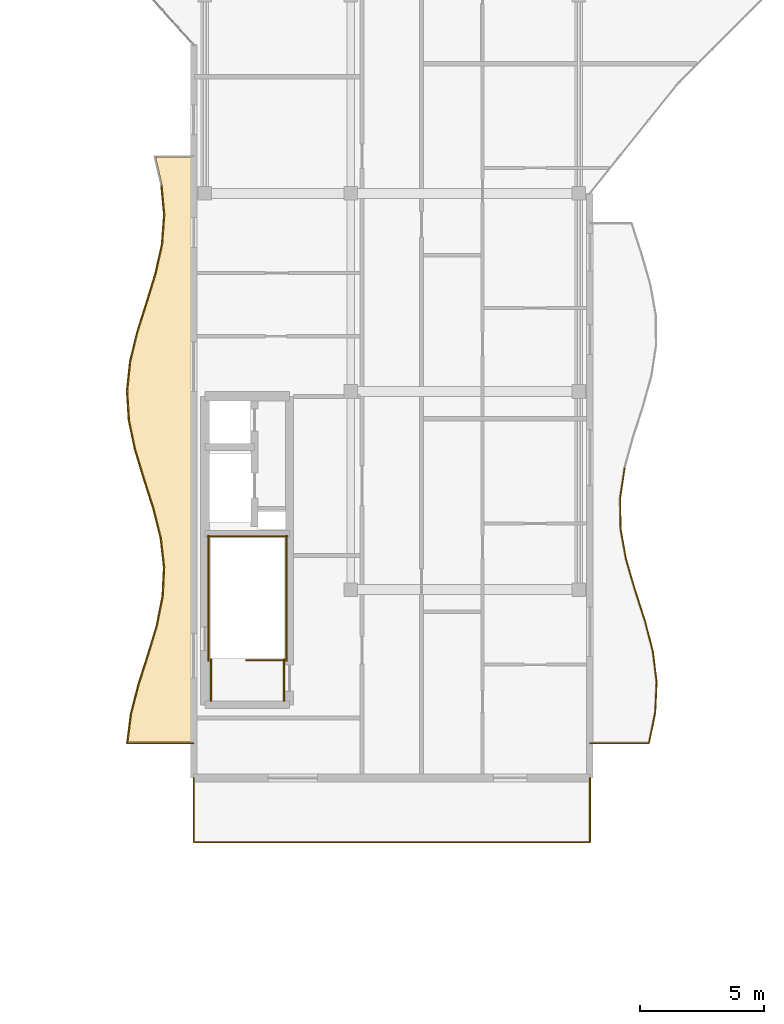
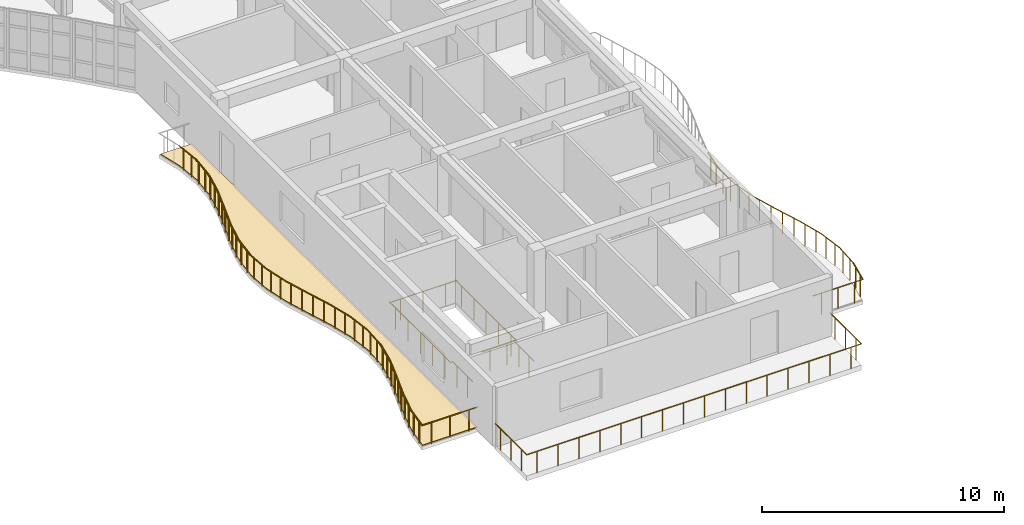
# One storey, part 37 of 49: 39 railings, 1 covering.
"""IFC4 building model written with IfcOpenShell, lengths in metres."""

from ifc_helpers import new_model, si_unit, direction, frame, origin, origin_2d, place, context, subcontext, project, spatial, polyline, circle, outline, extrude, material, layer, layer_set, type_object, element, save


model = new_model("IFC4")

# Units and contexts
model_context = context("Model", 3, precision=1e-05, world=origin(), true_north=direction((0.0, 1.0)))
body_context = subcontext(model_context, "Body", "Model", "MODEL_VIEW")
ifc_project = project(units=[si_unit("LENGTHUNIT", "METRE"), si_unit("AREAUNIT", "SQUARE_METRE"), si_unit("VOLUMEUNIT", "CUBIC_METRE"), si_unit("PLANEANGLEUNIT", "RADIAN"), si_unit("MASSUNIT", "GRAM", prefix="KILO")], contexts=[model_context])

# Site, building, storey
site_placement = place(None, origin())
site = spatial("IfcSite", under=ifc_project, at=site_placement, CompositionType="ELEMENT")
building_placement = place(site_placement, origin())
building = spatial("IfcBuilding", under=site, at=building_placement, Name="Keldmere Railside Commons", CompositionType="ELEMENT")
storey_placement = place(building_placement, frame((0.0, 0.0, 29.760009765625)))
storey = spatial("IfcBuildingStorey", under=building, at=storey_placement, Name="L09", CompositionType="ELEMENT", Elevation=29.760009765625)

# Railings
ifc_material_1 = material(Name="Steel F-24 (S235)", Category="steel")
railing_type_1 = type_object("IfcRailingType", Name="Balcony & Terrace Steel Balustrade 1100", PredefinedType="BALUSTRADE", material=ifc_material_1)
railing_1_placement = place(storey_placement, frame((64.0, 65.800048828125, 0.0)))
element("IfcRailing", 1, at=railing_1_placement, inside=storey, type_object=railing_type_1, Name="GR-1 GRD-L09-1778", PredefinedType="BALUSTRADE", context=body_context, shape_type="SweptSolid", body=[
    extrude(circle(Radius=0.02392578125, at=origin_2d()), frame((0.0, 0.0, 1.076171875), z_axis=(1.0, 0.0, 0.0), x_axis=(0.0, 1.0, 0.0)), (0.0, 0.0, 1.0), 2.3837890625),
    extrude(circle(Radius=0.02099609375, at=origin_2d()), frame((0.397216796875, 0.0, 0.0)), (0.0, 0.0, 1.0), 1.048095703125),
    extrude(circle(Radius=0.02099609375, at=origin_2d()), frame((1.19189453125, 0.0, 0.0)), (0.0, 0.0, 1.0), 1.048095703125),
    extrude(circle(Radius=0.02099609375, at=origin_2d()), frame((1.986572265625, 0.0, 0.0)), (0.0, 0.0, 1.0), 1.048095703125),
])
railing_2_placement = place(storey_placement, frame((66.3837890625, 65.800048828125, 0.0)))
element("IfcRailing", 2, at=railing_2_placement, inside=storey, type_object=railing_type_1, Name="GR-1 GRD-L09-1779", PredefinedType="BALUSTRADE", context=body_context, shape_type="SweptSolid", body=[
    extrude(circle(Radius=0.02392578125, at=origin_2d()), frame((0.0, 0.0, 1.076171875), z_axis=(0.200210381283, 0.979752929685, 0.0), x_axis=(-0.979752929685, 0.200210381283, 0.0)), (0.0, 0.0, 1.0), 1.260986328125),
    extrude(circle(Radius=0.02099609375, at=origin_2d()), frame((0.06298828125, 0.308837890625, 0.0)), (0.0, 0.0, 1.0), 1.048095703125),
    extrude(circle(Radius=0.02099609375, at=origin_2d()), frame((0.189453125, 0.926513671875, 0.0)), (0.0, 0.0, 1.0), 1.048095703125),
])
railing_3_placement = place(storey_placement, frame((66.63623046875, 67.035400390625, 0.0)))
element("IfcRailing", 3, at=railing_3_placement, inside=storey, type_object=railing_type_1, Name="GR-1 GRD-L09-1780", PredefinedType="BALUSTRADE", context=body_context, shape_type="SweptSolid", body=[
    extrude(circle(Radius=0.02392578125, at=origin_2d()), frame((0.0, 0.0, 1.076171875), z_axis=(0.046795880614, 0.998904472689, 0.0), x_axis=(-0.998904472689, 0.046795880614, 0.0)), (0.0, 0.0, 1.0), 1.236572265625),
    extrude(circle(Radius=0.02099609375, at=origin_2d()), frame((0.014404296875, 0.308837890625, 0.0)), (0.0, 0.0, 1.0), 1.048095703125),
    extrude(circle(Radius=0.02099609375, at=origin_2d()), frame((0.04345703125, 0.92626953125, 0.0)), (0.0, 0.0, 1.0), 1.048095703125),
])
railing_4_placement = place(storey_placement, frame((66.694091796875, 68.2705078125, 0.0)))
element("IfcRailing", 4, at=railing_4_placement, inside=storey, type_object=railing_type_1, Name="GR-1 GRD-L09-1781", PredefinedType="BALUSTRADE", context=body_context, shape_type="SweptSolid", body=[
    extrude(circle(Radius=0.02392578125, at=origin_2d()), frame((0.0, 0.0, 1.076171875), z_axis=(-0.122972552421, 0.992410072173, 0.0), x_axis=(-0.992410072173, -0.122972552421, 0.0)), (0.0, 0.0, 1.0), 1.244873046875),
    extrude(circle(Radius=0.02099609375, at=origin_2d()), frame((-0.038330078125, 0.308837890625, 0.0)), (0.0, 0.0, 1.0), 1.048095703125),
    extrude(circle(Radius=0.02099609375, at=origin_2d()), frame((-0.11474609375, 0.926513671875, 0.0)), (0.0, 0.0, 1.0), 1.048095703125),
])
railing_5_placement = place(storey_placement, frame((66.541015625, 69.505859375, 0.0)))
element("IfcRailing", 5, at=railing_5_placement, inside=storey, type_object=railing_type_1, Name="GR-1 GRD-L09-1782", PredefinedType="BALUSTRADE", context=body_context, shape_type="SweptSolid", body=[
    extrude(circle(Radius=0.02392578125, at=origin_2d()), frame((0.0, 0.0, 1.076171875), z_axis=(-0.251167953108, 0.967943520734, 0.0), x_axis=(-0.967943520734, -0.251167953108, 0.0)), (0.0, 0.0, 1.0), 1.2763671875),
    extrude(circle(Radius=0.02099609375, at=origin_2d()), frame((-0.080078125, 0.308837890625, 0.0)), (0.0, 0.0, 1.0), 1.048095703125),
    extrude(circle(Radius=0.02099609375, at=origin_2d()), frame((-0.240478515625, 0.926513671875, 0.0)), (0.0, 0.0, 1.0), 1.048095703125),
])
railing_6_placement = place(storey_placement, frame((66.220458984375, 70.7412109375, 0.0)))
element("IfcRailing", 6, at=railing_6_placement, inside=storey, type_object=railing_type_1, Name="GR-1 GRD-L09-1783", PredefinedType="BALUSTRADE", context=body_context, shape_type="SweptSolid", body=[
    extrude(circle(Radius=0.02392578125, at=origin_2d()), frame((0.0, 0.0, 1.076171875), z_axis=(-0.306277118905, 0.951942396595, 0.0), x_axis=(-0.951942396595, -0.306277118905, 0.0)), (0.0, 0.0, 1.0), 1.297607421875),
    extrude(circle(Radius=0.02099609375, at=origin_2d()), frame((-0.099365234375, 0.308837890625, 0.0)), (0.0, 0.0, 1.0), 1.048095703125),
    extrude(circle(Radius=0.02099609375, at=origin_2d()), frame((-0.298095703125, 0.926513671875, 0.0)), (0.0, 0.0, 1.0), 1.048095703125),
])
railing_7_placement = place(storey_placement, frame((65.822998046875, 71.9765625, 0.0)))
element("IfcRailing", 7, at=railing_7_placement, inside=storey, type_object=railing_type_1, Name="GR-1 GRD-L09-1784", PredefinedType="BALUSTRADE", context=body_context, shape_type="SweptSolid", body=[
    extrude(circle(Radius=0.02392578125, at=origin_2d()), frame((0.0, 0.0, 1.076171875), z_axis=(-0.280728295525, 0.959787280647, 0.0), x_axis=(-0.959787280647, -0.280728295525, 0.0)), (0.0, 0.0, 1.0), 1.287109375),
    extrude(circle(Radius=0.02099609375, at=origin_2d()), frame((-0.09033203125, 0.308837890625, 0.0)), (0.0, 0.0, 1.0), 1.048095703125),
    extrude(circle(Radius=0.02099609375, at=origin_2d()), frame((-0.27099609375, 0.926513671875, 0.0)), (0.0, 0.0, 1.0), 1.048095703125),
])
railing_8_placement = place(storey_placement, frame((65.461669921875, 73.2119140625, 0.0)))
element("IfcRailing", 8, at=railing_8_placement, inside=storey, type_object=railing_type_1, Name="GR-1 GRD-L09-1785", PredefinedType="BALUSTRADE", context=body_context, shape_type="SweptSolid", body=[
    extrude(circle(Radius=0.02392578125, at=origin_2d()), frame((0.0, 0.0, 1.076171875), z_axis=(-0.177601420209, 0.984102502557, 0.0), x_axis=(-0.984102502557, -0.177601420209, 0.0)), (0.0, 0.0, 1.0), 1.255126953125),
    extrude(circle(Radius=0.02099609375, at=origin_2d()), frame((-0.0556640625, 0.308837890625, 0.0)), (0.0, 0.0, 1.0), 1.048095703125),
    extrude(circle(Radius=0.02099609375, at=origin_2d()), frame((-0.167236328125, 0.92626953125, 0.0)), (0.0, 0.0, 1.0), 1.048095703125),
])
railing_9_placement = place(storey_placement, frame((65.23876953125, 74.447021484375, 0.0)))
element("IfcRailing", 9, at=railing_9_placement, inside=storey, type_object=railing_type_1, Name="GR-1 GRD-L09-1786", PredefinedType="BALUSTRADE", context=body_context, shape_type="SweptSolid", body=[
    extrude(circle(Radius=0.02392578125, at=origin_2d()), frame((0.0, 0.0, 1.076171875), z_axis=(-0.017191135034, 0.999852221519, 0.0), x_axis=(-0.999852221519, -0.017191135034, 0.0)), (0.0, 0.0, 1.0), 1.235595703125),
    extrude(circle(Radius=0.02099609375, at=origin_2d()), frame((-0.00537109375, 0.308837890625, 0.0)), (0.0, 0.0, 1.0), 1.048095703125),
    extrude(circle(Radius=0.02099609375, at=origin_2d()), frame((-0.015869140625, 0.926513671875, 0.0)), (0.0, 0.0, 1.0), 1.048095703125),
])
railing_10_placement = place(storey_placement, frame((65.217529296875, 75.682373046875, 0.0)))
element("IfcRailing", 10, at=railing_10_placement, inside=storey, type_object=railing_type_1, Name="GR-1 GRD-L09-1787", PredefinedType="BALUSTRADE", context=body_context, shape_type="SweptSolid", body=[
    extrude(circle(Radius=0.02392578125, at=origin_2d()), frame((0.0, 0.0, 1.076171875), z_axis=(0.149324804148, 0.988788199194, 0.0), x_axis=(-0.988788199194, 0.149324804148, 0.0)), (0.0, 0.0, 1.0), 1.2490234375),
    extrude(circle(Radius=0.02099609375, at=origin_2d()), frame((0.046630859375, 0.308837890625, 0.0)), (0.0, 0.0, 1.0), 1.048095703125),
    extrude(circle(Radius=0.02099609375, at=origin_2d()), frame((0.139892578125, 0.92626953125, 0.0)), (0.0, 0.0, 1.0), 1.048095703125),
])
railing_11_placement = place(storey_placement, frame((48.0, 65.800048828125, 0.0)))
element("IfcRailing", 11, at=railing_11_placement, inside=storey, type_object=railing_type_1, Name="GR-1 GRD-L09-1797", PredefinedType="BALUSTRADE", context=body_context, shape_type="SweptSolid", body=[
    extrude(circle(Radius=0.02392578125, at=origin_2d()), frame((0.0, 0.0, 1.076171875), z_axis=(-1.0, 0.0, 0.0), x_axis=(0.0, -1.0, 0.0)), (0.0, 0.0, 1.0), 2.69189453125),
    extrude(circle(Radius=0.02099609375, at=origin_2d()), frame((-0.44873046875, 0.0, 0.0)), (0.0, 0.0, 1.0), 1.048095703125),
    extrude(circle(Radius=0.02099609375, at=origin_2d()), frame((-1.345947265625, 0.0, 0.0)), (0.0, 0.0, 1.0), 1.048095703125),
    extrude(circle(Radius=0.02099609375, at=origin_2d()), frame((-2.2431640625, 0.0, 0.0)), (0.0, 0.0, 1.0), 1.048095703125),
])
railing_12_placement = place(storey_placement, frame((45.30810546875, 65.800048828125, 0.0)))
element("IfcRailing", 12, at=railing_12_placement, inside=storey, type_object=railing_type_1, Name="GR-1 GRD-L09-1798", PredefinedType="BALUSTRADE", context=body_context, shape_type="SweptSolid", body=[
    extrude(circle(Radius=0.02392578125, at=origin_2d()), frame((0.0, 0.0, 1.076171875), z_axis=(0.126298157731, 0.991992326257, 0.0), x_axis=(-0.991992326257, 0.126298157731, 0.0)), (0.0, 0.0, 1.0), 1.194580078125),
    extrude(circle(Radius=0.02099609375, at=origin_2d()), frame((0.03759765625, 0.29638671875, 0.0)), (0.0, 0.0, 1.0), 1.048095703125),
    extrude(circle(Radius=0.02099609375, at=origin_2d()), frame((0.11328125, 0.888671875, 0.0)), (0.0, 0.0, 1.0), 1.048095703125),
])
railing_13_placement = place(storey_placement, frame((45.458984375, 66.985107421875, 0.0)))
element("IfcRailing", 13, at=railing_13_placement, inside=storey, type_object=railing_type_1, Name="GR-1 GRD-L09-1799", PredefinedType="BALUSTRADE", context=body_context, shape_type="SweptSolid", body=[
    extrude(circle(Radius=0.02392578125, at=origin_2d()), frame((0.0, 0.0, 1.076171875), z_axis=(0.249618516973, 0.968344254893, 0.0), x_axis=(-0.968344254893, 0.249618516973, 0.0)), (0.0, 0.0, 1.0), 1.2236328125),
    extrude(circle(Radius=0.02099609375, at=origin_2d()), frame((0.076416015625, 0.296142578125, 0.0)), (0.0, 0.0, 1.0), 1.048095703125),
    extrude(circle(Radius=0.02099609375, at=origin_2d()), frame((0.22900390625, 0.888671875, 0.0)), (0.0, 0.0, 1.0), 1.048095703125),
])
railing_14_placement = place(storey_placement, frame((45.764404296875, 68.169921875, 0.0)))
element("IfcRailing", 14, at=railing_14_placement, inside=storey, type_object=railing_type_1, Name="GR-1 GRD-L09-1800", PredefinedType="BALUSTRADE", context=body_context, shape_type="SweptSolid", body=[
    extrude(circle(Radius=0.02392578125, at=origin_2d()), frame((0.0, 0.0, 1.076171875), z_axis=(0.305437622491, 0.952212087073, 0.0), x_axis=(-0.952212087073, 0.305437622491, 0.0)), (0.0, 0.0, 1.0), 1.24462890625),
    extrude(circle(Radius=0.02099609375, at=origin_2d()), frame((0.094970703125, 0.29638671875, 0.0)), (0.0, 0.0, 1.0), 1.048095703125),
    extrude(circle(Radius=0.02099609375, at=origin_2d()), frame((0.28515625, 0.888671875, 0.0)), (0.0, 0.0, 1.0), 1.048095703125),
])
railing_15_placement = place(storey_placement, frame((46.14453125, 69.35498046875, 0.0)))
element("IfcRailing", 15, at=railing_15_placement, inside=storey, type_object=railing_type_1, Name="GR-1 GRD-L09-1801", PredefinedType="BALUSTRADE", context=body_context, shape_type="SweptSolid", body=[
    extrude(circle(Radius=0.02392578125, at=origin_2d()), frame((0.0, 0.0, 1.076171875), z_axis=(0.287311678123, 0.957837146708, 0.0), x_axis=(-0.957837146708, 0.287311678123, 0.0)), (0.0, 0.0, 1.0), 1.2373046875),
    extrude(circle(Radius=0.02099609375, at=origin_2d()), frame((0.0888671875, 0.29638671875, 0.0)), (0.0, 0.0, 1.0), 1.048095703125),
    extrude(circle(Radius=0.02099609375, at=origin_2d()), frame((0.2666015625, 0.888671875, 0.0)), (0.0, 0.0, 1.0), 1.048095703125),
])
railing_16_placement = place(storey_placement, frame((46.5, 70.5400390625, 0.0)))
element("IfcRailing", 16, at=railing_16_placement, inside=storey, type_object=railing_type_1, Name="GR-1 GRD-L09-1802", PredefinedType="BALUSTRADE", context=body_context, shape_type="SweptSolid", body=[
    extrude(circle(Radius=0.02392578125, at=origin_2d()), frame((0.0, 0.0, 1.076171875), z_axis=(0.196737601358, 0.980456177609, 0.0), x_axis=(-0.980456177609, 0.196737601358, 0.0)), (0.0, 0.0, 1.0), 1.208740234375),
    extrude(circle(Radius=0.02099609375, at=origin_2d()), frame((0.0595703125, 0.29638671875, 0.0)), (0.0, 0.0, 1.0), 1.048095703125),
    extrude(circle(Radius=0.02099609375, at=origin_2d()), frame((0.17822265625, 0.888671875, 0.0)), (0.0, 0.0, 1.0), 1.048095703125),
])
railing_17_placement = place(storey_placement, frame((46.73779296875, 71.72509765625, 0.0)))
element("IfcRailing", 17, at=railing_17_placement, inside=storey, type_object=railing_type_1, Name="GR-1 GRD-L09-1803", PredefinedType="BALUSTRADE", context=body_context, shape_type="SweptSolid", body=[
    extrude(circle(Radius=0.02392578125, at=origin_2d()), frame((0.0, 0.0, 1.076171875), z_axis=(0.048777640634, 0.998809662435, 0.0), x_axis=(-0.998809662435, 0.048777640634, 0.0)), (0.0, 0.0, 1.0), 1.186279296875),
    extrude(circle(Radius=0.02099609375, at=origin_2d()), frame((0.014404296875, 0.296142578125, 0.0)), (0.0, 0.0, 1.0), 1.048095703125),
    extrude(circle(Radius=0.02099609375, at=origin_2d()), frame((0.04345703125, 0.888671875, 0.0)), (0.0, 0.0, 1.0), 1.048095703125),
])
railing_18_placement = place(storey_placement, frame((46.795654296875, 72.909912109375, 0.0)))
element("IfcRailing", 18, at=railing_18_placement, inside=storey, type_object=railing_type_1, Name="GR-1 GRD-L09-1804", PredefinedType="BALUSTRADE", context=body_context, shape_type="SweptSolid", body=[
    extrude(circle(Radius=0.02392578125, at=origin_2d()), frame((0.0, 0.0, 1.076171875), z_axis=(-0.114810534721, 0.993387407368, 0.0), x_axis=(-0.993387407368, -0.114810534721, 0.0)), (0.0, 0.0, 1.0), 1.19287109375),
    extrude(circle(Radius=0.02099609375, at=origin_2d()), frame((-0.0341796875, 0.29638671875, 0.0)), (0.0, 0.0, 1.0), 1.048095703125),
    extrude(circle(Radius=0.02099609375, at=origin_2d()), frame((-0.102783203125, 0.888671875, 0.0)), (0.0, 0.0, 1.0), 1.048095703125),
])
railing_19_placement = place(storey_placement, frame((46.65869140625, 74.094970703125, 0.0)))
element("IfcRailing", 19, at=railing_19_placement, inside=storey, type_object=railing_type_1, Name="GR-1 GRD-L09-1805", PredefinedType="BALUSTRADE", context=body_context, shape_type="SweptSolid", body=[
    extrude(circle(Radius=0.02392578125, at=origin_2d()), frame((0.0, 0.0, 1.076171875), z_axis=(-0.242441567714, 0.970166009632, 0.0), x_axis=(-0.970166009632, -0.242441567714, 0.0)), (0.0, 0.0, 1.0), 1.221435546875),
    extrude(circle(Radius=0.02099609375, at=origin_2d()), frame((-0.073974609375, 0.29638671875, 0.0)), (0.0, 0.0, 1.0), 1.048095703125),
    extrude(circle(Radius=0.02099609375, at=origin_2d()), frame((-0.22216796875, 0.888671875, 0.0)), (0.0, 0.0, 1.0), 1.048095703125),
])
railing_20_placement = place(storey_placement, frame((46.362548828125, 75.280029296875, 0.0)))
element("IfcRailing", 20, at=railing_20_placement, inside=storey, type_object=railing_type_1, Name="GR-1 GRD-L09-1806", PredefinedType="BALUSTRADE", context=body_context, shape_type="SweptSolid", body=[
    extrude(circle(Radius=0.02392578125, at=origin_2d()), frame((0.0, 0.0, 1.076171875), z_axis=(-0.30383550412, 0.952724507104, 0.0), x_axis=(-0.952724507104, -0.30383550412, 0.0)), (0.0, 0.0, 1.0), 1.243896484375),
    extrude(circle(Radius=0.02099609375, at=origin_2d()), frame((-0.094482421875, 0.29638671875, 0.0)), (0.0, 0.0, 1.0), 1.048095703125),
    extrude(circle(Radius=0.02099609375, at=origin_2d()), frame((-0.283447265625, 0.888671875, 0.0)), (0.0, 0.0, 1.0), 1.048095703125),
])
railing_21_placement = place(storey_placement, frame((45.984619140625, 76.465087890625, 0.0)))
element("IfcRailing", 21, at=railing_21_placement, inside=storey, type_object=railing_type_1, Name="GR-1 GRD-L09-1807", PredefinedType="BALUSTRADE", context=body_context, shape_type="SweptSolid", body=[
    extrude(circle(Radius=0.02392578125, at=origin_2d()), frame((0.0, 0.0, 1.076171875), z_axis=(-0.29134201891, 0.956618956543, 0.0), x_axis=(-0.956618956543, -0.29134201891, 0.0)), (0.0, 0.0, 1.0), 1.238525390625),
    extrude(circle(Radius=0.02099609375, at=origin_2d()), frame((-0.09033203125, 0.296142578125, 0.0)), (0.0, 0.0, 1.0), 1.048095703125),
    extrude(circle(Radius=0.02099609375, at=origin_2d()), frame((-0.2705078125, 0.888671875, 0.0)), (0.0, 0.0, 1.0), 1.048095703125),
])
railing_22_placement = place(storey_placement, frame((45.623779296875, 77.64990234375, 0.0)))
element("IfcRailing", 22, at=railing_22_placement, inside=storey, type_object=railing_type_1, Name="GR-1 GRD-L09-1808", PredefinedType="BALUSTRADE", context=body_context, shape_type="SweptSolid", body=[
    extrude(circle(Radius=0.02392578125, at=origin_2d()), frame((0.0, 0.0, 1.076171875), z_axis=(-0.20583775075, 0.97858613334, 0.0), x_axis=(-0.97858613334, -0.20583775075, 0.0)), (0.0, 0.0, 1.0), 1.2109375),
    extrude(circle(Radius=0.02099609375, at=origin_2d()), frame((-0.062255859375, 0.29638671875, 0.0)), (0.0, 0.0, 1.0), 1.048095703125),
    extrude(circle(Radius=0.02099609375, at=origin_2d()), frame((-0.18701171875, 0.888671875, 0.0)), (0.0, 0.0, 1.0), 1.048095703125),
])
railing_23_placement = place(storey_placement, frame((45.37451171875, 78.8349609375, 0.0)))
element("IfcRailing", 23, at=railing_23_placement, inside=storey, type_object=railing_type_1, Name="GR-1 GRD-L09-1809", PredefinedType="BALUSTRADE", context=body_context, shape_type="SweptSolid", body=[
    extrude(circle(Radius=0.02392578125, at=origin_2d()), frame((0.0, 0.0, 1.076171875), z_axis=(-0.061277295566, 0.998120780792, 0.0), x_axis=(-0.998120780792, -0.061277295566, 0.0)), (0.0, 0.0, 1.0), 1.187255859375),
    extrude(circle(Radius=0.02099609375, at=origin_2d()), frame((-0.01806640625, 0.29638671875, 0.0)), (0.0, 0.0, 1.0), 1.048095703125),
    extrude(circle(Radius=0.02099609375, at=origin_2d()), frame((-0.0546875, 0.888671875, 0.0)), (0.0, 0.0, 1.0), 1.048095703125),
])
railing_24_placement = place(storey_placement, frame((45.3017578125, 80.02001953125, 0.0)))
element("IfcRailing", 24, at=railing_24_placement, inside=storey, type_object=railing_type_1, Name="GR-1 GRD-L09-1810", PredefinedType="BALUSTRADE", context=body_context, shape_type="SweptSolid", body=[
    extrude(circle(Radius=0.02392578125, at=origin_2d()), frame((0.0, 0.0, 1.076171875), z_axis=(0.1030739328, 0.994673697439, 0.0), x_axis=(-0.994673697439, 0.1030739328, 0.0)), (0.0, 0.0, 1.0), 1.19140625),
    extrude(circle(Radius=0.02099609375, at=origin_2d()), frame((0.03076171875, 0.29638671875, 0.0)), (0.0, 0.0, 1.0), 1.048095703125),
    extrude(circle(Radius=0.02099609375, at=origin_2d()), frame((0.092041015625, 0.888671875, 0.0)), (0.0, 0.0, 1.0), 1.048095703125),
])
railing_25_placement = place(storey_placement, frame((45.424560546875, 81.205078125, 0.0)))
element("IfcRailing", 25, at=railing_25_placement, inside=storey, type_object=railing_type_1, Name="GR-1 GRD-L09-1811", PredefinedType="BALUSTRADE", context=body_context, shape_type="SweptSolid", body=[
    extrude(circle(Radius=0.02392578125, at=origin_2d()), frame((0.0, 0.0, 1.076171875), z_axis=(0.234940732588, 0.97200969757, 0.0), x_axis=(-0.97200969757, 0.234940732588, 0.0)), (0.0, 0.0, 1.0), 1.218994140625),
    extrude(circle(Radius=0.02099609375, at=origin_2d()), frame((0.071533203125, 0.296142578125, 0.0)), (0.0, 0.0, 1.0), 1.048095703125),
    extrude(circle(Radius=0.02099609375, at=origin_2d()), frame((0.21484375, 0.888671875, 0.0)), (0.0, 0.0, 1.0), 1.048095703125),
])
railing_26_placement = place(storey_placement, frame((45.7109375, 82.389892578125, 0.0)))
element("IfcRailing", 26, at=railing_26_placement, inside=storey, type_object=railing_type_1, Name="GR-1 GRD-L09-1812", PredefinedType="BALUSTRADE", context=body_context, shape_type="SweptSolid", body=[
    extrude(circle(Radius=0.02392578125, at=origin_2d()), frame((0.0, 0.0, 1.076171875), z_axis=(0.301695331646, 0.953404387898, 0.0), x_axis=(-0.953404387898, 0.301695331646, 0.0)), (0.0, 0.0, 1.0), 1.242919921875),
    extrude(circle(Radius=0.02099609375, at=origin_2d()), frame((0.09375, 0.29638671875, 0.0)), (0.0, 0.0, 1.0), 1.048095703125),
    extrude(circle(Radius=0.02099609375, at=origin_2d()), frame((0.28125, 0.888671875, 0.0)), (0.0, 0.0, 1.0), 1.048095703125),
])
railing_27_placement = place(storey_placement, frame((46.0859375, 83.574951171875, 0.0)))
element("IfcRailing", 27, at=railing_27_placement, inside=storey, type_object=railing_type_1, Name="GR-1 GRD-L09-1813", PredefinedType="BALUSTRADE", context=body_context, shape_type="SweptSolid", body=[
    extrude(circle(Radius=0.02392578125, at=origin_2d()), frame((0.0, 0.0, 1.076171875), z_axis=(0.294708308477, 0.955587260754, 0.0), x_axis=(-0.955587260754, 0.294708308477, 0.0)), (0.0, 0.0, 1.0), 1.240234375),
    extrude(circle(Radius=0.02099609375, at=origin_2d()), frame((0.09130859375, 0.29638671875, 0.0)), (0.0, 0.0, 1.0), 1.048095703125),
    extrude(circle(Radius=0.02099609375, at=origin_2d()), frame((0.274169921875, 0.888671875, 0.0)), (0.0, 0.0, 1.0), 1.048095703125),
])
railing_28_placement = place(storey_placement, frame((46.451416015625, 84.760009765625, 0.0)))
element("IfcRailing", 28, at=railing_28_placement, inside=storey, type_object=railing_type_1, Name="GR-1 GRD-L09-1814", PredefinedType="BALUSTRADE", context=body_context, shape_type="SweptSolid", body=[
    extrude(circle(Radius=0.02392578125, at=origin_2d()), frame((0.0, 0.0, 1.076171875), z_axis=(0.214884812338, 0.976639399895, 0.0), x_axis=(-0.976639399895, 0.214884812338, 0.0)), (0.0, 0.0, 1.0), 1.21337890625),
    extrude(circle(Radius=0.02099609375, at=origin_2d()), frame((0.065185546875, 0.29638671875, 0.0)), (0.0, 0.0, 1.0), 1.048095703125),
    extrude(circle(Radius=0.02099609375, at=origin_2d()), frame((0.195556640625, 0.888671875, 0.0)), (0.0, 0.0, 1.0), 1.048095703125),
])
railing_29_placement = place(storey_placement, frame((46.712158203125, 85.945068359375, 0.0)))
element("IfcRailing", 29, at=railing_29_placement, inside=storey, type_object=railing_type_1, Name="GR-1 GRD-L09-1815", PredefinedType="BALUSTRADE", context=body_context, shape_type="SweptSolid", body=[
    extrude(circle(Radius=0.02392578125, at=origin_2d()), frame((0.0, 0.0, 1.076171875), z_axis=(0.073773282278, 0.997275038704, 0.0), x_axis=(-0.997275038704, 0.073773282278, 0.0)), (0.0, 0.0, 1.0), 1.18798828125),
    extrude(circle(Radius=0.02099609375, at=origin_2d()), frame((0.02197265625, 0.296142578125, 0.0)), (0.0, 0.0, 1.0), 1.048095703125),
    extrude(circle(Radius=0.02099609375, at=origin_2d()), frame((0.065673828125, 0.888671875, 0.0)), (0.0, 0.0, 1.0), 1.048095703125),
])
railing_30_placement = place(storey_placement, frame((46.7998046875, 87.1298828125, 0.0)))
element("IfcRailing", 30, at=railing_30_placement, inside=storey, type_object=railing_type_1, Name="GR-1 GRD-L09-1816", PredefinedType="BALUSTRADE", context=body_context, shape_type="SweptSolid", body=[
    extrude(circle(Radius=0.02392578125, at=origin_2d()), frame((0.0, 0.0, 1.076171875), z_axis=(-0.091294121871, 0.995823972051, 0.0), x_axis=(-0.995823972051, -0.091294121871, 0.0)), (0.0, 0.0, 1.0), 1.18994140625),
    extrude(circle(Radius=0.02099609375, at=origin_2d()), frame((-0.027099609375, 0.29638671875, 0.0)), (0.0, 0.0, 1.0), 1.048095703125),
    extrude(circle(Radius=0.02099609375, at=origin_2d()), frame((-0.08154296875, 0.888671875, 0.0)), (0.0, 0.0, 1.0), 1.048095703125),
])
railing_31_placement = place(storey_placement, frame((48.0, 64.39990234375, 0.0)))
element("IfcRailing", 31, at=railing_31_placement, inside=storey, type_object=railing_type_1, Name="GR-1 GRD-L09-1841", PredefinedType="BALUSTRADE", context=body_context, shape_type="SweptSolid", body=[
    extrude(circle(Radius=0.02392578125, at=origin_2d()), frame((0.0, 0.0, 1.076171875), z_axis=(0.0, -1.0, 0.0), x_axis=(1.0, 0.0, 0.0)), (0.0, 0.0, 1.0), 2.599853515625),
    extrude(circle(Radius=0.02099609375, at=origin_2d()), frame((0.0, -0.433349609375, 0.0)), (0.0, 0.0, 1.0), 1.048095703125),
    extrude(circle(Radius=0.02099609375, at=origin_2d()), frame((0.0, -1.2998046875, 0.0)), (0.0, 0.0, 1.0), 1.048095703125),
    extrude(circle(Radius=0.02099609375, at=origin_2d()), frame((0.0, -2.16650390625, 0.0)), (0.0, 0.0, 1.0), 1.048095703125),
])
railing_32_placement = place(storey_placement, frame((48.0, 61.800048828125, 0.0)))
element("IfcRailing", 32, at=railing_32_placement, inside=storey, type_object=railing_type_1, Name="GR-1 GRD-L09-1842", PredefinedType="BALUSTRADE", context=body_context, shape_type="SweptSolid", body=[
    extrude(circle(Radius=0.02392578125, at=origin_2d()), frame((0.0, 0.0, 1.076171875), z_axis=(1.0, 0.0, 0.0), x_axis=(0.0, 1.0, 0.0)), (0.0, 0.0, 1.0), 16.0),
    extrude(circle(Radius=0.02099609375, at=origin_2d()), frame((0.5, 0.0, 0.0)), (0.0, 0.0, 1.0), 1.048095703125),
    extrude(circle(Radius=0.02099609375, at=origin_2d()), frame((1.5, 0.0, 0.0)), (0.0, 0.0, 1.0), 1.048095703125),
    extrude(circle(Radius=0.02099609375, at=origin_2d()), frame((2.5, 0.0, 0.0)), (0.0, 0.0, 1.0), 1.048095703125),
    extrude(circle(Radius=0.02099609375, at=origin_2d()), frame((3.5, 0.0, 0.0)), (0.0, 0.0, 1.0), 1.048095703125),
    extrude(circle(Radius=0.02099609375, at=origin_2d()), frame((4.5, 0.0, 0.0)), (0.0, 0.0, 1.0), 1.048095703125),
    extrude(circle(Radius=0.02099609375, at=origin_2d()), frame((5.5, 0.0, 0.0)), (0.0, 0.0, 1.0), 1.048095703125),
    extrude(circle(Radius=0.02099609375, at=origin_2d()), frame((6.5, 0.0, 0.0)), (0.0, 0.0, 1.0), 1.048095703125),
    extrude(circle(Radius=0.02099609375, at=origin_2d()), frame((7.5, 0.0, 0.0)), (0.0, 0.0, 1.0), 1.048095703125),
    extrude(circle(Radius=0.02099609375, at=origin_2d()), frame((8.5, 0.0, 0.0)), (0.0, 0.0, 1.0), 1.048095703125),
    extrude(circle(Radius=0.02099609375, at=origin_2d()), frame((9.5, 0.0, 0.0)), (0.0, 0.0, 1.0), 1.048095703125),
    extrude(circle(Radius=0.02099609375, at=origin_2d()), frame((10.5, 0.0, 0.0)), (0.0, 0.0, 1.0), 1.048095703125),
    extrude(circle(Radius=0.02099609375, at=origin_2d()), frame((11.5, 0.0, 0.0)), (0.0, 0.0, 1.0), 1.048095703125),
    extrude(circle(Radius=0.02099609375, at=origin_2d()), frame((12.5, 0.0, 0.0)), (0.0, 0.0, 1.0), 1.048095703125),
    extrude(circle(Radius=0.02099609375, at=origin_2d()), frame((13.5, 0.0, 0.0)), (0.0, 0.0, 1.0), 1.048095703125),
    extrude(circle(Radius=0.02099609375, at=origin_2d()), frame((14.5, 0.0, 0.0)), (0.0, 0.0, 1.0), 1.048095703125),
    extrude(circle(Radius=0.02099609375, at=origin_2d()), frame((15.5, 0.0, 0.0)), (0.0, 0.0, 1.0), 1.048095703125),
])
railing_33_placement = place(storey_placement, frame((64.0, 61.800048828125, 0.0)))
element("IfcRailing", 33, at=railing_33_placement, inside=storey, type_object=railing_type_1, Name="GR-1 GRD-L09-1843", PredefinedType="BALUSTRADE", context=body_context, shape_type="SweptSolid", body=[
    extrude(circle(Radius=0.02392578125, at=origin_2d()), frame((0.0, 0.0, 1.076171875), z_axis=(0.0, 1.0, 0.0), x_axis=(-1.0, 0.0, 0.0)), (0.0, 0.0, 1.0), 2.599853515625),
    extrude(circle(Radius=0.02099609375, at=origin_2d()), frame((0.0, 0.433349609375, 0.0)), (0.0, 0.0, 1.0), 1.048095703125),
    extrude(circle(Radius=0.02099609375, at=origin_2d()), frame((0.0, 1.2998046875, 0.0)), (0.0, 0.0, 1.0), 1.048095703125),
    extrude(circle(Radius=0.02099609375, at=origin_2d()), frame((0.0, 2.16650390625, 0.0)), (0.0, 0.0, 1.0), 1.048095703125),
])
railing_type_2 = type_object("IfcRailingType", Name="Stair Well Steel Guardrail 1100", PredefinedType="BALUSTRADE", material=ifc_material_1)
railing_34_placement = place(storey_placement, frame((51.699951171875, 69.14990234375, 0.0)))
element("IfcRailing", 34, at=railing_34_placement, inside=storey, type_object=railing_type_2, Name="L09 ST-C1 top well guard 1", PredefinedType="BALUSTRADE", context=body_context, shape_type="SweptSolid", body=[
    extrude(circle(Radius=0.02392578125, at=origin_2d()), frame((0.0, 0.0, 1.076171875), z_axis=(-1.0, 0.0, 0.0), x_axis=(0.0, -1.0, 0.0)), (0.0, 0.0, 1.0), 1.599853515625),
    extrude(circle(Radius=0.02099609375, at=origin_2d()), frame((-0.39990234375, 0.0, 0.0)), (0.0, 0.0, 1.0), 1.048095703125),
    extrude(circle(Radius=0.02099609375, at=origin_2d()), frame((-1.199951171875, 0.0, 0.0)), (0.0, 0.0, 1.0), 1.048095703125),
])
for number, where, name in (
    (35, (51.75, 69.10009765625, 0.0), "L09 ST-C1 top well guard 2"),
    (36, (48.60009765625, 69.10009765625, 0.0), "L09 ST-C1 top well guard 3"),
):
    element("IfcRailing", number, at=place(storey_placement, frame(where)), inside=storey, type_object=railing_type_2, Name=name, PredefinedType="BALUSTRADE", context=body_context, shape_type="SweptSolid", body=[
        extrude(circle(Radius=0.02392578125, at=origin_2d()), frame((0.0, 0.0, 1.076171875), z_axis=(0.0, 1.0, 0.0), x_axis=(-1.0, 0.0, 0.0)), (0.0, 0.0, 1.0), 5.099853515625),
        extrude(circle(Radius=0.02099609375, at=origin_2d()), frame((0.0, 0.510009765625, 0.0)), (0.0, 0.0, 1.0), 1.048095703125),
        extrude(circle(Radius=0.02099609375, at=origin_2d()), frame((0.0, 1.530029296875, 0.0)), (0.0, 0.0, 1.0), 1.048095703125),
        extrude(circle(Radius=0.02099609375, at=origin_2d()), frame((0.0, 2.5498046875, 0.0)), (0.0, 0.0, 1.0), 1.048095703125),
        extrude(circle(Radius=0.02099609375, at=origin_2d()), frame((0.0, 3.56982421875, 0.0)), (0.0, 0.0, 1.0), 1.048095703125),
        extrude(circle(Radius=0.02099609375, at=origin_2d()), frame((0.0, 4.58984375, 0.0)), (0.0, 0.0, 1.0), 1.048095703125),
    ])
railing_35_placement = place(storey_placement, frame((51.800048828125, 74.14990234375, 0.0)))
element("IfcRailing", 37, at=railing_35_placement, inside=storey, type_object=railing_type_2, Name="L09 ST-C1 top well guard 4", PredefinedType="BALUSTRADE", context=body_context, shape_type="SweptSolid", body=[
    extrude(circle(Radius=0.02392578125, at=origin_2d()), frame((0.0, 0.0, 1.076171875), z_axis=(-1.0, 0.0, 0.0), x_axis=(0.0, -1.0, 0.0)), (0.0, 0.0, 1.0), 3.25),
    extrude(circle(Radius=0.02099609375, at=origin_2d()), frame((-0.541748046875, 0.0, 0.0)), (0.0, 0.0, 1.0), 1.048095703125),
    extrude(circle(Radius=0.02099609375, at=origin_2d()), frame((-1.625, 0.0, 0.0)), (0.0, 0.0, 1.0), 1.048095703125),
    extrude(circle(Radius=0.02099609375, at=origin_2d()), frame((-2.708251953125, 0.0, 0.0)), (0.0, 0.0, 1.0), 1.048095703125),
])
for number, where, name in (
    (38, (51.64990234375, 67.5, 0.0), "L09 ST-C1 top well guard 5"),
    (39, (48.699951171875, 67.5, 0.0), "L09 ST-C1 top well guard 6"),
):
    element("IfcRailing", number, at=place(storey_placement, frame(where)), inside=storey, type_object=railing_type_2, Name=name, PredefinedType="BALUSTRADE", context=body_context, shape_type="SweptSolid", body=[
        extrude(circle(Radius=0.02392578125, at=origin_2d()), frame((0.0, 0.0, 1.076171875), z_axis=(0.0, 1.0, 0.0), x_axis=(-1.0, 0.0, 0.0)), (0.0, 0.0, 1.0), 1.699951171875),
        extrude(circle(Radius=0.02099609375, at=origin_2d()), frame((0.0, 0.425048828125, 0.0)), (0.0, 0.0, 1.0), 1.048095703125),
        extrude(circle(Radius=0.02099609375, at=origin_2d()), frame((0.0, 1.27490234375, 0.0)), (0.0, 0.0, 1.0), 1.048095703125),
    ])

# Covering
ifc_material_2 = material(Name="White Precast Concrete C35/45", Category="concrete")
ifc_layer = layer(ifc_material_2, 0.044921875, Name="White Architectural Balcony Ribbon Cladding 45")
ifc_layer_set = layer_set([ifc_layer], Name="White Precast Concrete C35/45")
covering_type = type_object("IfcCoveringType", Name="White Architectural Balcony Ribbon Cladding 45", PredefinedType="FLOORING", material=ifc_layer_set)
covering_placement = place(storey_placement, origin())
element("IfcCovering", 40, at=covering_placement, inside=storey, type_object=covering_type, Name="CLG-WB C L09 CW White Balcony Ribbon", PredefinedType="FLOORING", context=body_context, shape_type="SweptSolid", body=[
    extrude(outline(polyline([(47.9599609375, 89.4599609375), (46.465576171875, 89.4599609375), (46.730224609375, 88.32421875), (46.73095703125, 88.318603515625), (46.839599609375, 87.133544921875), (46.839599609375, 87.13037109375), (46.839599609375, 87.127197265625), (46.752197265625, 85.942138671875), (46.751220703125, 85.936279296875), (46.490478515625, 84.75146484375), (46.48974609375, 84.748291015625), (46.1240234375, 83.563232421875), (46.1240234375, 83.56298828125), (45.74951171875, 82.37939453125), (45.464111328125, 81.1982421875), (45.341796875, 80.019287109375), (45.414306640625, 78.84033203125), (45.66259765625, 77.659912109375), (46.02294921875, 76.476806640625), (46.400634765625, 75.292236328125), (46.4013671875, 75.289794921875), (46.697509765625, 74.104736328125), (46.698486328125, 74.099609375), (46.83544921875, 72.91455078125), (46.835693359375, 72.911376953125), (46.835693359375, 72.907958984375), (46.777587890625, 71.722900390625), (46.77734375, 71.72021484375), (46.77685546875, 71.717041015625), (46.539306640625, 70.531982421875), (46.538330078125, 70.528564453125), (46.182861328125, 69.343505859375), (46.1826171875, 69.3427734375), (45.802734375, 68.158935546875), (45.498291015625, 66.9775390625), (45.353515625, 65.840087890625), (47.9599609375, 65.840087890625), (47.9599609375, 89.4599609375)])), origin(), (0.0, 0.0, 1.0), 0.044921875),
])

save(model, "model.ifc")
